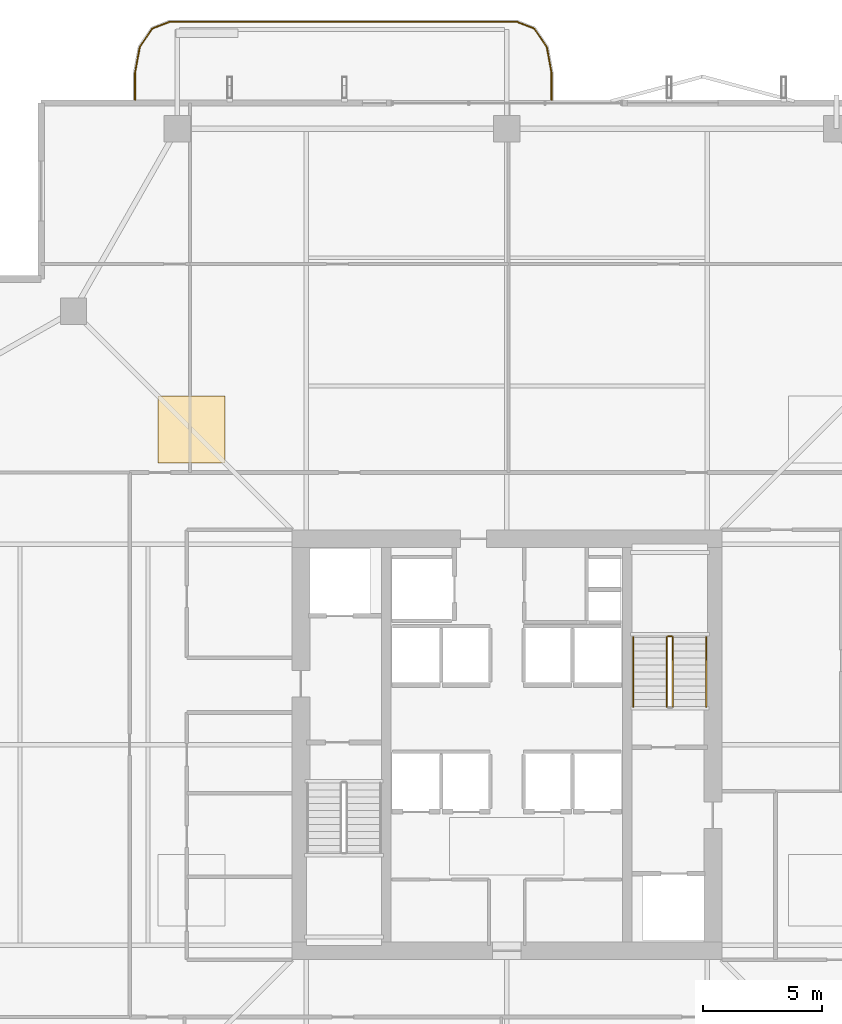
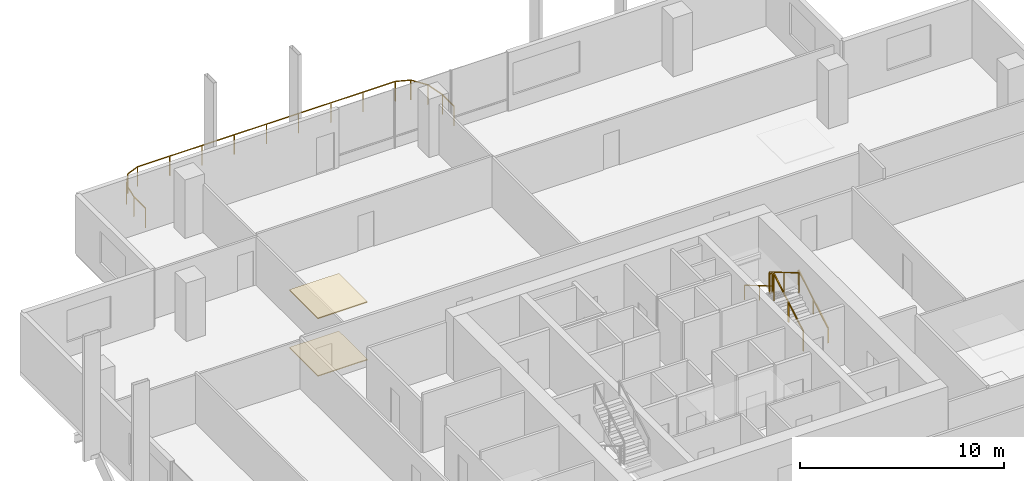
# One storey, part 23 of 24: 6 railings, 2 coverings.
"""IFC4 building model written with IfcOpenShell, lengths in metres."""

import ifcopenshell
import ifcopenshell.guid

model = None  # the IFC model being written
_history = None  # IfcOwnerHistory: only IFC2X3 demands one
_inside = {}  # id of a spatial element -> (the spatial element, [elements in it])
_under = {}  # id of a project, library or spatial element -> (it, [spatial elements below it])
_declared = {}  # id of a project -> (the project, [libraries it declares])
_typed = {}  # id of a type object -> (the type object, [elements of that type])
_made_of = {}  # id of a material, layer set ... -> (it, [elements and type objects made of it])


def new_model(schema):
    """Start an empty IFC model of exactly this schema.

    Asked for "IFC4X3", IfcOpenShell would pick the latest addendum, in which some entities
    have other attributes; the version numbers below select the first issue.
    IFC2X3 requires an IfcOwnerHistory on every rooted entity: one is made here for all.
    """
    global model, _history
    if schema == "IFC4X3":
        model = ifcopenshell.file(schema_version=(4, 3, 0, 0))
    else:
        model = ifcopenshell.file(schema=schema)
    _inside.clear()
    _under.clear()
    _declared.clear()
    _typed.clear()
    _made_of.clear()
    _history = None
    if model.schema == "IFC2X3":
        org = make("IfcOrganization", Name="unknown")
        user = make(
            "IfcPersonAndOrganization",
            ThePerson=make("IfcPerson", FamilyName="unknown"),
            TheOrganization=org,
        )
        app = make(
            "IfcApplication",
            ApplicationDeveloper=org,
            Version="unknown",
            ApplicationFullName="unknown",
            ApplicationIdentifier="unknown",
        )
        _history = make(
            "IfcOwnerHistory",
            OwningUser=user,
            OwningApplication=app,
            ChangeAction="ADDED",
            CreationDate=0,
        )
    return model


def make(cls, **values):
    """One entity of the class cls with the attributes given. An attribute that is None is left unset."""
    return model.create_entity(
        cls, **{name: value for name, value in values.items() if value is not None}
    )


def rooted(cls, **values):
    """An entity with a GlobalId (a new one), such as an element, a storey or a relation."""
    return make(cls, GlobalId=ifcopenshell.guid.new(), OwnerHistory=_history, **values)


def si_unit(unit_type, name, prefix=None):
    """IfcSIUnit, for example si_unit("LENGTHUNIT", "METRE", prefix="MILLI")."""
    return make("IfcSIUnit", UnitType=unit_type, Prefix=prefix, Name=name)


def assignment(units):
    """IfcUnitAssignment: the units of a project."""
    return None if units is None else make("IfcUnitAssignment", Units=units)


def point(xyz):
    """IfcCartesianPoint."""
    return None if xyz is None else make("IfcCartesianPoint", Coordinates=xyz)


def direction(xyz):
    """IfcDirection."""
    return None if xyz is None else make("IfcDirection", DirectionRatios=xyz)


def frame(location, z_axis=None, x_axis=None):
    """IfcAxis2Placement3D, a coordinate frame: its origin and axes. An axis left out is left unset."""
    return make(
        "IfcAxis2Placement3D",
        Location=point(location),
        Axis=direction(z_axis),
        RefDirection=direction(x_axis),
    )


def frame_2d(location, x_axis=None):
    """IfcAxis2Placement2D, a coordinate frame in the plane: its origin and x axis."""
    return make(
        "IfcAxis2Placement2D", Location=point(location), RefDirection=direction(x_axis)
    )


def origin():
    """The frame at (0, 0, 0) with its axes left unset."""
    return frame((0.0, 0.0, 0.0))


def origin_2d():
    """The frame at (0, 0) in the plane with its x axis left unset."""
    return frame_2d((0.0, 0.0))


def place(relative_to, where):
    """IfcLocalPlacement: puts the frame where relative to a parent placement (None: the world)."""
    return make(
        "IfcLocalPlacement", PlacementRelTo=relative_to, RelativePlacement=where
    )


def context(
    kind, dimensions, precision=None, world=None, true_north=None, identifier=None
):
    """IfcGeometricRepresentationContext, for example the 3D "Model" context."""
    return make(
        "IfcGeometricRepresentationContext",
        ContextIdentifier=identifier,
        ContextType=kind,
        CoordinateSpaceDimension=dimensions,
        Precision=precision,
        WorldCoordinateSystem=world,
        TrueNorth=true_north,
    )


def subcontext(parent, identifier, kind, view, scale=None):
    """IfcGeometricRepresentationSubContext, for example "Body" below "Model"."""
    return make(
        "IfcGeometricRepresentationSubContext",
        ContextIdentifier=identifier,
        ContextType=kind,
        ParentContext=parent,
        TargetScale=scale,
        TargetView=view,
    )


def project(units=None, contexts=None):
    """IfcProject with its units and contexts."""
    return rooted(
        "IfcProject",
        Name="project",
        RepresentationContexts=contexts,
        UnitsInContext=assignment(units),
    )


def spatial(cls, under=None, at=None, **own):
    """A site, building, storey or space (cls), placed at a placement, below another one or the project."""
    s = rooted(cls, ObjectPlacement=at, **own)
    if under is not None:
        _under.setdefault(under.id(), (under, []))[1].append(s)
    return s


def polyline(points):
    """IfcPolyline through the points."""
    return make("IfcPolyline", Points=[point(p) for p in points])


def profile(cls, at=None, kind="AREA", **sizes):
    """A parametric profile (cls). Its sizes go by their IFC names, for example OverallWidth=200.0."""
    return make(cls, ProfileType=kind, Position=at, **sizes)


def rectangle(**sizes):
    """IfcRectangleProfileDef."""
    return profile("IfcRectangleProfileDef", **sizes)


def outline(outer, holes=None, kind="AREA"):
    """IfcArbitraryClosedProfileDef: a profile drawn as a closed curve; with holes, ...WithVoids."""
    if holes is None:
        return make("IfcArbitraryClosedProfileDef", ProfileType=kind, OuterCurve=outer)
    return make(
        "IfcArbitraryProfileDefWithVoids",
        ProfileType=kind,
        OuterCurve=outer,
        InnerCurves=holes,
    )


def extrude(swept, where, along, depth):
    """IfcExtrudedAreaSolid: the profile swept, set in the frame where, extruded along a direction by depth."""
    return make(
        "IfcExtrudedAreaSolid",
        SweptArea=swept,
        Position=where,
        ExtrudedDirection=direction(along),
        Depth=depth,
    )


def shape(context_of_items, identifier, shape_type, items):
    """IfcShapeRepresentation: the items that make up one representation, for example the "Body"."""
    return make(
        "IfcShapeRepresentation",
        ContextOfItems=context_of_items,
        RepresentationIdentifier=identifier,
        RepresentationType=shape_type,
        Items=items,
    )


def material(Name=None, Category=None):
    """IfcMaterial."""
    return make("IfcMaterial", Name=Name, Category=Category)


def layer(
    of_material, thickness, ventilated=None, Name=None, Category=None, Priority=None
):
    """IfcMaterialLayer: one layer of a wall or slab, of a material (None: an air gap)."""
    return make(
        "IfcMaterialLayer",
        Material=of_material,
        LayerThickness=thickness,
        IsVentilated=ventilated,
        Name=Name,
        Category=Category,
        Priority=Priority,
    )


def layer_set(layers, Name=None):
    """IfcMaterialLayerSet."""
    return make("IfcMaterialLayerSet", MaterialLayers=layers, LayerSetName=Name)


def made_of(thing, what):
    """Note that an element or type object is made of a material, layer set ...; save() writes the relation."""
    if what is not None:
        _made_of.setdefault(what.id(), (what, []))[1].append(thing)
    return thing


def type_object(cls, material=None, **own):
    """A type object (cls), such as IfcWallType, which elements share."""
    return made_of(rooted(cls, **own), material)


def element(
    cls,
    number,
    at=None,
    inside=None,
    cuts=None,
    type_object=None,
    material=None,
    context=None,
    identifier="Body",
    shape_type=None,
    held_by="IfcProductDefinitionShape",
    body=None,
    shapes=None,
    **own,
):
    """One element of the class cls, such as IfcWall. Its Tag is "e" and its number.

    at: its placement. inside: the storey or other place that contains it. cuts: it is an
    opening in that element (IfcRelVoidsElement). A single representation is given by context,
    identifier, shape_type and body (its items); several are given by shapes. held_by: the class
    of the entity that holds the representations. save() writes the other relations.
    """
    e = rooted(cls, Tag="e%d" % number, ObjectPlacement=at, **own)
    if body is not None:
        shapes = [shape(context, identifier, shape_type, body)]
    if shapes is not None:
        e.Representation = make(held_by, Representations=shapes)
    if inside is not None:
        _inside.setdefault(inside.id(), (inside, []))[1].append(e)
    if cuts is not None:
        rooted(
            "IfcRelVoidsElement", RelatingBuildingElement=cuts, RelatedOpeningElement=e
        )
    if type_object is not None:
        _typed.setdefault(type_object.id(), (type_object, []))[1].append(e)
    return made_of(e, material)


def aggregate(whole, parts):
    """IfcRelAggregates: a whole, such as a stair, and the parts it consists of."""
    return rooted("IfcRelAggregates", RelatingObject=whole, RelatedObjects=parts)


def save(model, path):
    """Write the relations noted so far, then the file.

    IfcRelAggregates (storeys below a building ...), IfcRelContainedInSpatialStructure (elements
    in a storey), IfcRelDefinesByType, IfcRelAssociatesMaterial and IfcRelDeclares: one each for
    every whole, place, type object, material and project.
    """
    for whole, parts in _under.values():
        aggregate(whole, parts)
    for where, things in _inside.values():
        rooted(
            "IfcRelContainedInSpatialStructure",
            RelatedElements=things,
            RelatingStructure=where,
        )
    for kind, things in _typed.values():
        rooted("IfcRelDefinesByType", RelatedObjects=things, RelatingType=kind)
    for what, things in _made_of.values():
        rooted("IfcRelAssociatesMaterial", RelatedObjects=things, RelatingMaterial=what)
    for by, libraries in _declared.values():
        rooted("IfcRelDeclares", RelatingContext=by, RelatedDefinitions=libraries)
    model.write(path)


model = new_model("IFC4")

# Units and contexts
model_context = context("Model", 3, precision=1e-05, world=origin(), true_north=direction((0.0, 1.0)))
body_context = subcontext(model_context, "Body", "Model", "MODEL_VIEW")
ifc_project = project(units=[si_unit("LENGTHUNIT", "METRE"), si_unit("AREAUNIT", "SQUARE_METRE"), si_unit("VOLUMEUNIT", "CUBIC_METRE"), si_unit("PLANEANGLEUNIT", "RADIAN"), si_unit("MASSUNIT", "GRAM", prefix="KILO")], contexts=[model_context])

# Site, building, storey
site_placement = place(None, origin())
site = spatial("IfcSite", under=ifc_project, at=site_placement, CompositionType="ELEMENT")
building_placement = place(site_placement, origin())
building = spatial("IfcBuilding", under=site, at=building_placement, Name="Belovzor Exchange Tower", CompositionType="ELEMENT")
storey_placement = place(building_placement, frame((0.0, 0.0, 226.199951171875)))
storey = spatial("IfcBuildingStorey", under=building, at=storey_placement, Name="L56", CompositionType="ELEMENT", Elevation=226.199951171875)

# Railings
ifc_material_1 = material(Name="Stainless Steel Grade 304", Category="steel")
railing_type_1 = type_object("IfcRailingType", Name="Brushed Stainless Steel Stair Handrail 900", PredefinedType="HANDRAIL", material=ifc_material_1)
railing_1_placement = place(storey_placement, frame((37.14990234375, 30.39990234375, 0.17041015625)))
element("IfcRailing", 1, at=railing_1_placement, inside=storey, type_object=railing_type_1, Name="L56 ST-2 stair handrail 1", PredefinedType="HANDRAIL", context=body_context, shape_type="SweptSolid", body=[
    extrude(rectangle(XDim=0.048095703125, YDim=0.048095703125, at=origin_2d()), frame((0.0, 0.0, 0.8759765625), z_axis=(0.0, 0.862113265706, 0.506715617574), x_axis=(-1.0, 0.0, 0.0)), (0.0, 0.0, 1.0), 3.364013671875),
    extrude(rectangle(XDim=0.0419921875, YDim=0.0419921875, at=origin_2d()), origin(), (0.0, 0.0, 1.0), 0.851806640625),
    extrude(rectangle(XDim=0.0419921875, YDim=0.0419921875, at=origin_2d()), frame((0.0, 1.4501953125, 0.852294921875)), (0.0, 0.0, 1.0), 0.851806640625),
    extrude(rectangle(XDim=0.0419921875, YDim=0.0419921875, at=origin_2d()), frame((0.0, 2.900146484375, 1.70458984375)), (0.0, 0.0, 1.0), 0.851806640625),
])
railing_2_placement = place(storey_placement, frame((34.10009765625, 33.300048828125, 2.04541015625)))
element("IfcRailing", 2, at=railing_2_placement, inside=storey, type_object=railing_type_1, Name="L56 ST-2 stair handrail 2", PredefinedType="HANDRAIL", context=body_context, shape_type="SweptSolid", body=[
    extrude(rectangle(XDim=0.048095703125, YDim=0.048095703125, at=origin_2d()), frame((0.0, 0.0, 0.8759765625), z_axis=(0.0, -0.862113265706, 0.506715617574), x_axis=(1.0, 0.0, 0.0)), (0.0, 0.0, 1.0), 3.364013671875),
    extrude(rectangle(XDim=0.0419921875, YDim=0.0419921875, at=origin_2d()), origin(), (0.0, 0.0, 1.0), 0.851806640625),
    extrude(rectangle(XDim=0.0419921875, YDim=0.0419921875, at=origin_2d()), frame((0.0, -1.4501953125, 0.852294921875)), (0.0, 0.0, 1.0), 0.851806640625),
    extrude(rectangle(XDim=0.0419921875, YDim=0.0419921875, at=origin_2d()), frame((0.0, -2.900146484375, 1.70458984375)), (0.0, 0.0, 1.0), 0.851806640625),
])
ifc_material_2 = material(Name="Stainless Steel and Laminated Safety Glass", Category="steel")
railing_type_2 = type_object("IfcRailingType", Name="Laminated Glass & Stainless Steel Balcony Balustrade 1200", PredefinedType="BALUSTRADE", material=ifc_material_2)
railing_3_placement = place(storey_placement, frame((30.669921875, 55.81005859375, 0.0)))
element("IfcRailing", 3, at=railing_3_placement, inside=storey, type_object=railing_type_2, Name="GR-1 Balcony Balustrade L56 North", PredefinedType="BALUSTRADE", context=body_context, shape_type="SweptSolid", body=[
    extrude(rectangle(XDim=0.048095703125, YDim=0.048095703125, at=origin_2d()), frame((0.0, 0.0, 1.17578125), z_axis=(0.0, 1.0, 0.0), x_axis=(-1.0, 0.0, 0.0)), (0.0, 0.0, 1.0), 1.133056640625),
    extrude(rectangle(XDim=0.048095703125, YDim=0.048095703125, at=origin_2d()), frame((0.0, 1.133056640625, 1.17578125), z_axis=(-0.180122719713, 0.983644145941, 0.0), x_axis=(-0.983644145941, -0.180122719713, 0.0)), (0.0, 0.0, 1.0), 1.09375),
    extrude(rectangle(XDim=0.048095703125, YDim=0.048095703125, at=origin_2d()), frame((-0.197021484375, 2.208984375, 1.17578125), z_axis=(-0.562768145367, 0.826614792125, 0.0), x_axis=(-0.826614792125, -0.562768145367, 0.0)), (0.0, 0.0, 1.0), 0.9326171875),
    extrude(rectangle(XDim=0.048095703125, YDim=0.048095703125, at=origin_2d()), frame((-0.721923828125, 2.97998046875, 1.17578125), z_axis=(-0.930766990125, 0.365612923861, 0.0), x_axis=(-0.365612923861, -0.930766990125, 0.0)), (0.0, 0.0, 1.0), 0.765869140625),
    extrude(rectangle(XDim=0.048095703125, YDim=0.048095703125, at=origin_2d()), frame((-1.434814453125, 3.260009765625, 1.17578125), z_axis=(-1.0, 0.0, 0.0), x_axis=(0.0, -1.0, 0.0)), (0.0, 0.0, 1.0), 14.570068359375),
    extrude(rectangle(XDim=0.048095703125, YDim=0.048095703125, at=origin_2d()), frame((-16.0048828125, 3.260009765625, 1.17578125), z_axis=(-0.930809580156, -0.365504480807, 0.0), x_axis=(0.365504480807, -0.930809580156, 0.0)), (0.0, 0.0, 1.0), 0.76611328125),
    extrude(rectangle(XDim=0.048095703125, YDim=0.048095703125, at=origin_2d()), frame((-16.718017578125, 2.97998046875, 1.17578125), z_axis=(-0.562768145367, -0.826614792125, 0.0), x_axis=(0.826614792125, -0.562768145367, 0.0)), (0.0, 0.0, 1.0), 0.9326171875),
    extrude(rectangle(XDim=0.048095703125, YDim=0.048095703125, at=origin_2d()), frame((-17.242919921875, 2.208984375, 1.17578125), z_axis=(-0.180122719713, -0.983644145941, 0.0), x_axis=(0.983644145941, -0.180122719713, 0.0)), (0.0, 0.0, 1.0), 1.09375),
    extrude(rectangle(XDim=0.048095703125, YDim=0.048095703125, at=origin_2d()), frame((-17.43994140625, 1.133056640625, 1.17578125), z_axis=(0.0, -1.0, 0.0), x_axis=(1.0, 0.0, 0.0)), (0.0, 0.0, 1.0), 1.133056640625),
    extrude(rectangle(XDim=0.0419921875, YDim=0.0419921875, at=origin_2d()), origin(), (0.0, 0.0, 1.0), 1.15185546875),
    extrude(rectangle(XDim=0.0419921875, YDim=0.0419921875, at=origin_2d()), frame((0.0, 1.133056640625, 0.0)), (0.0, 0.0, 1.0), 1.15185546875),
    extrude(rectangle(XDim=0.0419921875, YDim=0.0419921875, at=origin_2d()), frame((-0.197021484375, 2.208984375, 0.0)), (0.0, 0.0, 1.0), 1.15185546875),
    extrude(rectangle(XDim=0.0419921875, YDim=0.0419921875, at=origin_2d()), frame((-0.721923828125, 2.97998046875, 0.0)), (0.0, 0.0, 1.0), 1.15185546875),
    extrude(rectangle(XDim=0.0419921875, YDim=0.0419921875, at=origin_2d()), frame((-1.434814453125, 3.260009765625, 0.0)), (0.0, 0.0, 1.0), 1.15185546875),
    extrude(rectangle(XDim=0.0419921875, YDim=0.0419921875, at=origin_2d()), frame((-3.256103515625, 3.260009765625, 0.0)), (0.0, 0.0, 1.0), 1.15185546875),
    extrude(rectangle(XDim=0.0419921875, YDim=0.0419921875, at=origin_2d()), frame((-5.077392578125, 3.260009765625, 0.0)), (0.0, 0.0, 1.0), 1.15185546875),
    extrude(rectangle(XDim=0.0419921875, YDim=0.0419921875, at=origin_2d()), frame((-6.898681640625, 3.260009765625, 0.0)), (0.0, 0.0, 1.0), 1.15185546875),
    extrude(rectangle(XDim=0.0419921875, YDim=0.0419921875, at=origin_2d()), frame((-8.7197265625, 3.260009765625, 0.0)), (0.0, 0.0, 1.0), 1.15185546875),
    extrude(rectangle(XDim=0.0419921875, YDim=0.0419921875, at=origin_2d()), frame((-10.541015625, 3.260009765625, 0.0)), (0.0, 0.0, 1.0), 1.15185546875),
    extrude(rectangle(XDim=0.0419921875, YDim=0.0419921875, at=origin_2d()), frame((-12.3623046875, 3.260009765625, 0.0)), (0.0, 0.0, 1.0), 1.15185546875),
    extrude(rectangle(XDim=0.0419921875, YDim=0.0419921875, at=origin_2d()), frame((-14.18359375, 3.260009765625, 0.0)), (0.0, 0.0, 1.0), 1.15185546875),
    extrude(rectangle(XDim=0.0419921875, YDim=0.0419921875, at=origin_2d()), frame((-16.0048828125, 3.260009765625, 0.0)), (0.0, 0.0, 1.0), 1.15185546875),
    extrude(rectangle(XDim=0.0419921875, YDim=0.0419921875, at=origin_2d()), frame((-16.718017578125, 2.97998046875, 0.0)), (0.0, 0.0, 1.0), 1.15185546875),
    extrude(rectangle(XDim=0.0419921875, YDim=0.0419921875, at=origin_2d()), frame((-17.242919921875, 2.208984375, 0.0)), (0.0, 0.0, 1.0), 1.15185546875),
    extrude(rectangle(XDim=0.0419921875, YDim=0.0419921875, at=origin_2d()), frame((-17.43994140625, 1.133056640625, 0.0)), (0.0, 0.0, 1.0), 1.15185546875),
    extrude(rectangle(XDim=0.0419921875, YDim=0.0419921875, at=origin_2d()), frame((-17.43994140625, 0.0, 0.0)), (0.0, 0.0, 1.0), 1.15185546875),
])
ifc_material_3 = material(Name="Steel S355", Category="steel")
railing_type_3 = type_object("IfcRailingType", Name="Painted Steel Stairwell Guardrail 1200", PredefinedType="GUARDRAIL", material=ifc_material_3)
railing_4_placement = place(storey_placement, frame((35.75, 30.39990234375, 0.17041015625)))
element("IfcRailing", 4, at=railing_4_placement, inside=storey, type_object=railing_type_3, Name="L56 ST-2 stair guard 1", PredefinedType="GUARDRAIL", context=body_context, shape_type="SweptSolid", body=[
    extrude(rectangle(XDim=0.048095703125, YDim=0.048095703125, at=origin_2d()), frame((0.0, 0.0, 1.17578125), z_axis=(0.0, 0.862113265706, 0.506715617574), x_axis=(-1.0, 0.0, 0.0)), (0.0, 0.0, 1.0), 3.364013671875),
    extrude(rectangle(XDim=0.0419921875, YDim=0.0419921875, at=origin_2d()), origin(), (0.0, 0.0, 1.0), 1.15185546875),
    extrude(rectangle(XDim=0.0419921875, YDim=0.0419921875, at=origin_2d()), frame((0.0, 1.4501953125, 0.852294921875)), (0.0, 0.0, 1.0), 1.15185546875),
    extrude(rectangle(XDim=0.0419921875, YDim=0.0419921875, at=origin_2d()), frame((0.0, 2.900146484375, 1.70458984375)), (0.0, 0.0, 1.0), 1.15185546875),
])
railing_5_placement = place(storey_placement, frame((35.699951171875, 33.35009765625, 1.875)))
element("IfcRailing", 5, at=railing_5_placement, inside=storey, type_object=railing_type_3, Name="L56 ST-2 stair guard 2", PredefinedType="GUARDRAIL", context=body_context, shape_type="SweptSolid", body=[
    extrude(rectangle(XDim=0.048095703125, YDim=0.048095703125, at=origin_2d()), frame((0.0, 0.0, 1.17578125), z_axis=(-1.0, 0.0, 0.0), x_axis=(0.0, -1.0, 0.0)), (0.0, 0.0, 1.0), 0.14990234375),
    extrude(rectangle(XDim=0.0419921875, YDim=0.0419921875, at=origin_2d()), origin(), (0.0, 0.0, 1.0), 1.15185546875),
    extrude(rectangle(XDim=0.0419921875, YDim=0.0419921875, at=origin_2d()), frame((-0.14990234375, 0.0, 0.0)), (0.0, 0.0, 1.0), 1.15185546875),
])
railing_6_placement = place(storey_placement, frame((35.5, 33.300048828125, 2.04541015625)))
element("IfcRailing", 6, at=railing_6_placement, inside=storey, type_object=railing_type_3, Name="L56 ST-2 stair guard 3", PredefinedType="GUARDRAIL", context=body_context, shape_type="SweptSolid", body=[
    extrude(rectangle(XDim=0.048095703125, YDim=0.048095703125, at=origin_2d()), frame((0.0, 0.0, 1.17578125), z_axis=(0.0, -0.862113265706, 0.506715617574), x_axis=(1.0, 0.0, 0.0)), (0.0, 0.0, 1.0), 3.364013671875),
    extrude(rectangle(XDim=0.0419921875, YDim=0.0419921875, at=origin_2d()), origin(), (0.0, 0.0, 1.0), 1.15185546875),
    extrude(rectangle(XDim=0.0419921875, YDim=0.0419921875, at=origin_2d()), frame((0.0, -1.4501953125, 0.852294921875)), (0.0, 0.0, 1.0), 1.15185546875),
    extrude(rectangle(XDim=0.0419921875, YDim=0.0419921875, at=origin_2d()), frame((0.0, -2.900146484375, 1.70458984375)), (0.0, 0.0, 1.0), 1.15185546875),
])

# Coverings
ifc_material_4 = material(Name="Perforated Powder-Coated Aluminium", Category="aluminium")
ifc_layer_1 = layer(ifc_material_4, 0.06005859375)
ifc_layer_set_1 = layer_set([ifc_layer_1], Name="Perforated Powder-Coated Aluminium")
covering_type_1 = type_object("IfcCoveringType", Name="Perforated Acoustic Metal Tile Suspended Ceiling 60", PredefinedType="CEILING", material=ifc_layer_set_1)
covering_1_placement = place(storey_placement, frame((0.0, 0.0, 3.43994140625)))
element("IfcCovering", 7, at=covering_1_placement, inside=storey, type_object=covering_type_1, Name="CLG-AC60 Suspended Ceiling CLG-L56-Z2", PredefinedType="CEILING", context=body_context, shape_type="SweptSolid", body=[
    extrude(outline(polyline([(14.199951171875, 40.60009765625), (17.0, 40.60009765625), (17.0, 43.39990234375), (14.199951171875, 43.39990234375), (14.199951171875, 40.60009765625)])), origin(), (0.0, 0.0, 1.0), 0.06005859375),
])
ifc_material_5 = material(Name="Polished Natural Granite Tile", Category="masonry")
ifc_layer_2 = layer(ifc_material_5, 0.050048828125)
ifc_layer_set_2 = layer_set([ifc_layer_2], Name="Polished Natural Granite Tile")
covering_type_2 = type_object("IfcCoveringType", Name="Polished Karelian Granite & Raised Access Floor Finish 50", PredefinedType="FLOORING", material=ifc_layer_set_2)
covering_2_placement = place(storey_placement, origin())
element("IfcCovering", 8, at=covering_2_placement, inside=storey, type_object=covering_type_2, Name="FLR-GR50 Floor Finish FLR-L56-Z2", PredefinedType="FLOORING", context=body_context, shape_type="SweptSolid", body=[
    extrude(outline(polyline([(14.199951171875, 40.60009765625), (17.0, 40.60009765625), (17.0, 43.39990234375), (14.199951171875, 43.39990234375), (14.199951171875, 40.60009765625)])), origin(), (0.0, 0.0, 1.0), 0.050048828125),
])

save(model, "model.ifc")
